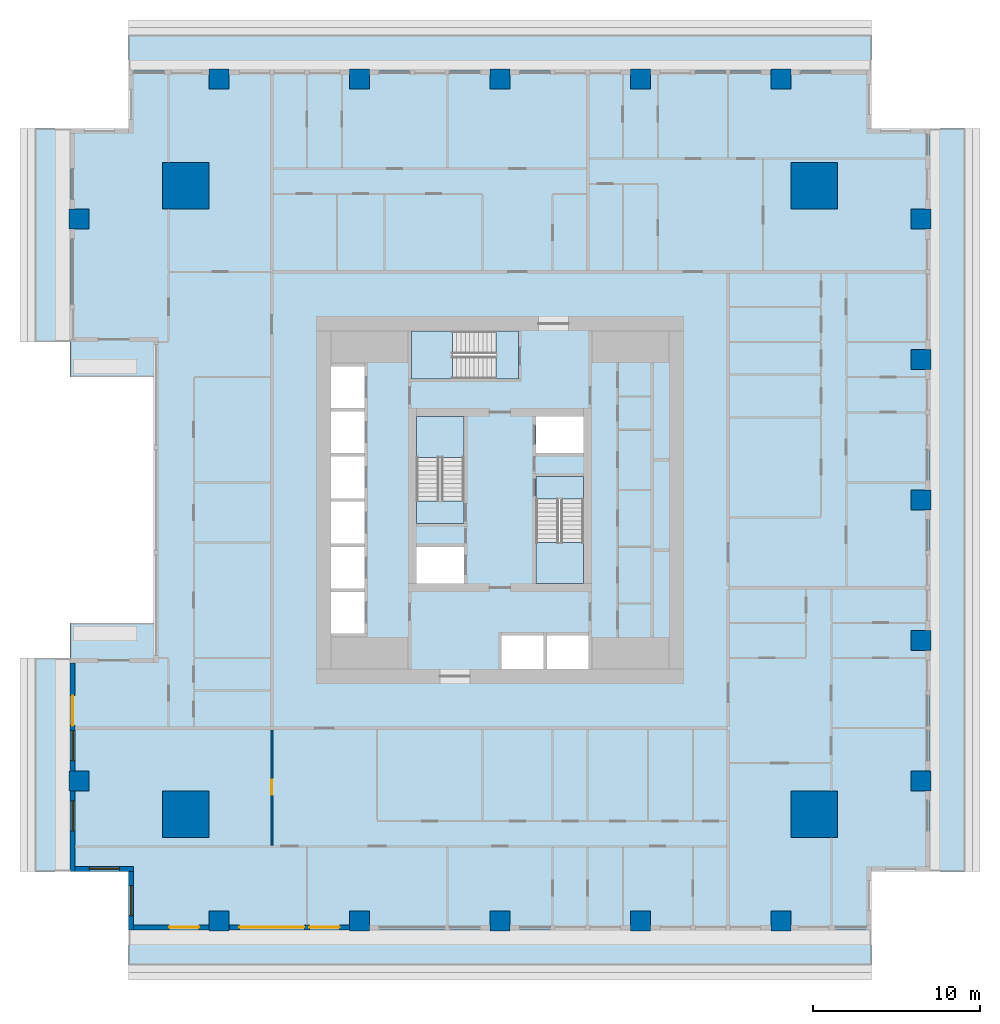
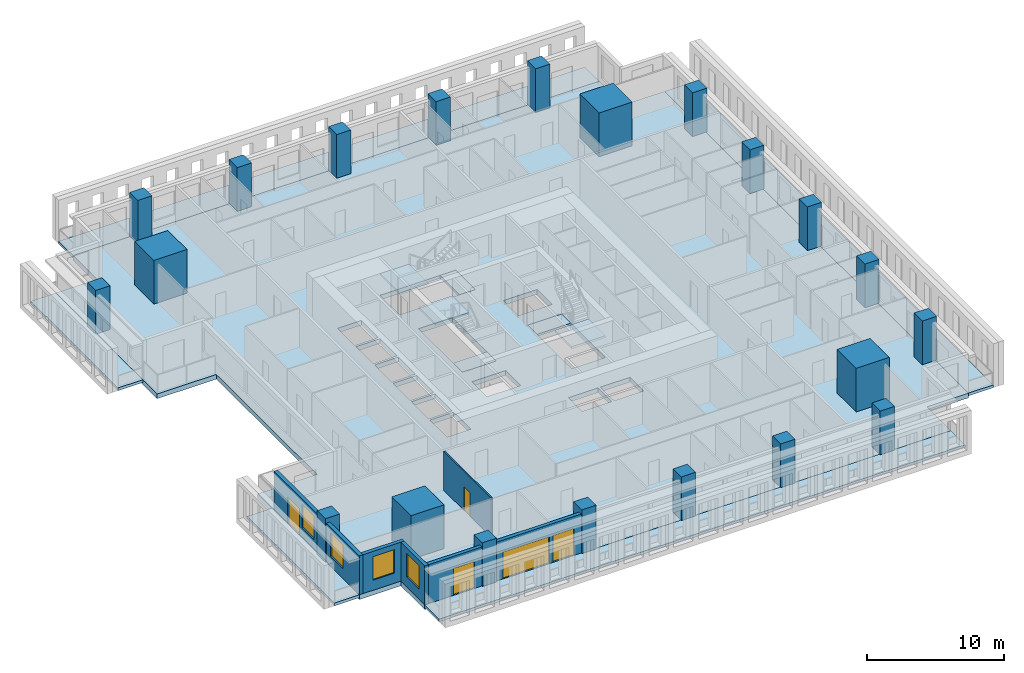
# One storey, part 1 of 14: 21 columns, 12 slabs, 7 walls, 5 doors, 4 windows, 9 openings, 3 elements without a shape of their own.
"""IFC4 building model written with IfcOpenShell, lengths in metres."""

from ifc_helpers import new_model, si_unit, direction, frame, frame_2d, origin, origin_2d, place, context, subcontext, project, spatial, polyline, rectangle, outline, extrude, material, layer, layer_set, material_profile, profile_set, type_object, element, fill, aggregate, save


model = new_model("IFC4")

# Units and contexts
model_context = context("Model", 3, precision=1e-05, world=origin(), true_north=direction((0.0, 1.0)))
body_context = subcontext(model_context, "Body", "Model", "MODEL_VIEW")
ifc_project = project(units=[si_unit("LENGTHUNIT", "METRE"), si_unit("AREAUNIT", "SQUARE_METRE"), si_unit("VOLUMEUNIT", "CUBIC_METRE"), si_unit("PLANEANGLEUNIT", "RADIAN"), si_unit("MASSUNIT", "GRAM", prefix="KILO")], contexts=[model_context])

# Site, building, storey
site_placement = place(None, origin())
site = spatial("IfcSite", under=ifc_project, at=site_placement, CompositionType="ELEMENT")
building_placement = place(site_placement, origin())
building = spatial("IfcBuilding", under=site, at=building_placement, Name="Khepri Terraces", CompositionType="ELEMENT")
storey_placement = place(building_placement, frame((0.0, 0.0, 102.60009765625)))
storey = spatial("IfcBuildingStorey", under=building, at=storey_placement, Name="L24", CompositionType="ELEMENT", Elevation=102.60009765625)

# Columns
ifc_material_1 = material(Name="Concrete C70/85", Category="concrete")
ifc_material_profile_1 = material_profile(ifc_material_1, rectangle(XDim=2.800048828125, YDim=2.800048828125, at=origin_2d()), Name="Concrete C70/85", Category="concrete")
ifc_profile_set_1 = profile_set([ifc_material_profile_1], Name="Concrete C70/85")
column_type_1 = type_object("IfcColumnType", Name="Mega column RC 2800x2800 C70/85", PredefinedType="COLUMN", material=ifc_profile_set_1)
for number, where, z_axis, x_axis, name in (
    (1, (18.800048828125, 18.800048828125, 0.0), (0.0, 0.0, 1.0), (1.0, 0.0, 0.0), "Mega column MEN L24"),
    (2, (18.800048828125, -18.800048828125, 0.0), (0.0, 0.0, 1.0), (1.0, 0.0, 0.0), "Mega column MES L24"),
    (3, (-18.800048828125, 18.800048828125, 0.0), (0.0, 0.0, 1.0), (1.0, 0.0, 0.0), "Mega column MWN L24"),
    (4, (-18.800048828125, -18.800048828125, 0.0), (0.0, 0.0, 1.0), (1.0, 0.0, 0.0), "Mega column MWS L24"),
):
    element("IfcColumn", number, at=place(storey_placement, frame(where, z_axis=z_axis, x_axis=x_axis)), inside=storey, type_object=column_type_1, Name=name, PredefinedType="COLUMN", context=body_context, shape_type="SweptSolid", body=[
        extrude(rectangle(XDim=2.800048828125, YDim=2.800048828125, at=origin_2d()), origin(), (0.0, 0.0, 1.0), 3.89990234375),
    ])
ifc_material_profile_2 = material_profile(ifc_material_1, rectangle(XDim=1.199951171875, YDim=1.199951171875, at=origin_2d()), Name="Concrete C70/85", Category="concrete")
ifc_profile_set_2 = profile_set([ifc_material_profile_2], Name="Concrete C70/85")
column_type_2 = type_object("IfcColumnType", Name="Tower column RC 1200x1200 C70/85", PredefinedType="COLUMN", material=ifc_profile_set_2)
for number, where, z_axis, x_axis, name in (
    (5, (25.199951171875, 0.0, 0.0), (0.0, 0.0, 1.0), (1.0, 0.0, 0.0), "Perimeter column PE+000a L24"),
    (6, (25.199951171875, 8.39990234375, 0.0), (0.0, 0.0, 1.0), (1.0, 0.0, 0.0), "Perimeter column PE+084a L24"),
    (7, (25.199951171875, 16.800048828125, 0.0), (0.0, 0.0, 1.0), (1.0, 0.0, 0.0), "Perimeter column PE+168a L24"),
    (8, (25.199951171875, -8.39990234375, 0.0), (0.0, 0.0, 1.0), (1.0, 0.0, 0.0), "Perimeter column PE-084a L24"),
    (9, (25.199951171875, -16.800048828125, 0.0), (0.0, 0.0, 1.0), (1.0, 0.0, 0.0), "Perimeter column PE-168a L24"),
    (10, (0.0, 25.199951171875, 0.0), (0.0, 0.0, 1.0), (1.0, 0.0, 0.0), "Perimeter column PN+000a L24"),
    (11, (-8.39990234375, 25.199951171875, 0.0), (0.0, 0.0, 1.0), (1.0, 0.0, 0.0), "Perimeter column PN+084a L24"),
    (12, (-16.800048828125, 25.199951171875, 0.0), (0.0, 0.0, 1.0), (1.0, 0.0, 0.0), "Perimeter column PN+168a L24"),
    (13, (8.39990234375, 25.199951171875, 0.0), (0.0, 0.0, 1.0), (1.0, 0.0, 0.0), "Perimeter column PN-084a L24"),
    (14, (16.800048828125, 25.199951171875, 0.0), (0.0, 0.0, 1.0), (1.0, 0.0, 0.0), "Perimeter column PN-168a L24"),
    (15, (0.0, -25.199951171875, 0.0), (0.0, 0.0, 1.0), (1.0, 0.0, 0.0), "Perimeter column PS+000b L24"),
    (16, (8.39990234375, -25.199951171875, 0.0), (0.0, 0.0, 1.0), (1.0, 0.0, 0.0), "Perimeter column PS+084b L24"),
    (17, (16.800048828125, -25.199951171875, 0.0), (0.0, 0.0, 1.0), (1.0, 0.0, 0.0), "Perimeter column PS+168a L24"),
    (18, (-8.39990234375, -25.199951171875, 0.0), (0.0, 0.0, 1.0), (1.0, 0.0, 0.0), "Perimeter column PS-084b L24"),
    (19, (-16.800048828125, -25.199951171875, 0.0), (0.0, 0.0, 1.0), (1.0, 0.0, 0.0), "Perimeter column PS-168a L24"),
    (20, (-25.199951171875, -16.800048828125, 0.0), (0.0, 0.0, 1.0), (1.0, 0.0, 0.0), "Perimeter column PW+168a L24"),
    (21, (-25.199951171875, 16.800048828125, 0.0), (0.0, 0.0, 1.0), (1.0, 0.0, 0.0), "Perimeter column PW-168a L24"),
):
    element("IfcColumn", number, at=place(storey_placement, frame(where, z_axis=z_axis, x_axis=x_axis)), inside=storey, type_object=column_type_2, Name=name, PredefinedType="COLUMN", context=body_context, shape_type="SweptSolid", body=[
        extrude(rectangle(XDim=1.199951171875, YDim=1.199951171875, at=origin_2d()), origin(), (0.0, 0.0, 1.0), 3.89990234375),
    ])

# Slabs
ifc_material_2 = material(Name="Concrete C40/50", Category="concrete")
ifc_layer_1 = layer(ifc_material_2, 0.419921875, Name="Concrete C40/50", Category="concrete")
ifc_layer_set_1 = layer_set([ifc_layer_1], Name="Concrete C40/50")
slab_type_1 = type_object("IfcSlabType", Name="Flat plate 420", PredefinedType="FLOOR", material=ifc_layer_set_1)
slab_1_placement = place(storey_placement, frame((0.0, 0.0, -0.420166015625)))
element("IfcSlab", 22, at=slab_1_placement, inside=storey, type_object=slab_type_1, Name="Floor slab F01 L24", PredefinedType="FLOOR", context=body_context, shape_type="SweptSolid", body=[
    extrude(outline(polyline([(22.219970703125, -25.719970703125), (-22.219970703125, -25.719970703125), (-22.219970703125, -22.219970703125), (-25.719970703125, -22.219970703125), (-25.719970703125, -9.449951171875), (-25.719970703125, -7.35009765625), (-20.719970703125, -7.35009765625), (-20.719970703125, 7.35009765625), (-25.719970703125, 7.35009765625), (-25.719970703125, 9.449951171875), (-25.719970703125, 22.219970703125), (-22.219970703125, 22.219970703125), (-22.219970703125, 25.719970703125), (22.219970703125, 25.719970703125), (22.219970703125, 22.219970703125), (25.719970703125, 22.219970703125), (25.719970703125, -22.219970703125), (22.219970703125, -22.219970703125), (22.219970703125, -25.719970703125)]), holes=[polyline([(5.0, 5.0), (2.14990234375, 5.0), (2.14990234375, 2.800048828125), (5.0, 2.800048828125), (5.0, 5.0)]), polyline([(-2.14990234375, -5.0), (-2.14990234375, -2.800048828125), (-5.0, -2.800048828125), (-5.0, -5.0), (-2.14990234375, -5.0)]), polyline([(-10.10009765625, -8.0), (-8.10009765625, -8.0), (-8.10009765625, -5.5), (-10.10009765625, -5.5), (-10.10009765625, -8.0)]), polyline([(-10.10009765625, -2.800048828125), (-10.10009765625, -5.300048828125), (-8.10009765625, -5.300048828125), (-8.10009765625, -2.800048828125), (-10.10009765625, -2.800048828125)]), polyline([(-8.10009765625, -0.10009765625), (-10.10009765625, -0.10009765625), (-10.10009765625, -2.60009765625), (-8.10009765625, -2.60009765625), (-8.10009765625, -0.10009765625)]), polyline([(-8.10009765625, 0.10009765625), (-8.10009765625, 2.60009765625), (-10.10009765625, 2.60009765625), (-10.10009765625, 0.10009765625), (-8.10009765625, 0.10009765625)]), polyline([(-10.10009765625, 2.800048828125), (-8.10009765625, 2.800048828125), (-8.10009765625, 5.300048828125), (-10.10009765625, 5.300048828125), (-10.10009765625, 2.800048828125)]), polyline([(-10.10009765625, 8.0), (-10.10009765625, 5.5), (-8.10009765625, 5.5), (-8.10009765625, 8.0), (-10.10009765625, 8.0)]), polyline([(2.60009765625, -8.10009765625), (0.10009765625, -8.10009765625), (0.10009765625, -10.10009765625), (2.60009765625, -10.10009765625), (2.60009765625, -8.10009765625)]), polyline([(5.300048828125, -10.10009765625), (5.300048828125, -8.10009765625), (2.800048828125, -8.10009765625), (2.800048828125, -10.10009765625), (5.300048828125, -10.10009765625)]), polyline([(-5.0, -1.39990234375), (-2.14990234375, -1.39990234375), (-2.14990234375, 5.0), (-5.0, 5.0), (-5.0, -1.39990234375)]), polyline([(5.0, -5.0), (5.0, 1.39990234375), (2.14990234375, 1.39990234375), (2.14990234375, -5.0), (5.0, -5.0)]), polyline([(-5.300048828125, 10.10009765625), (-5.300048828125, 7.25), (1.10009765625, 7.25), (1.10009765625, 10.10009765625), (-5.300048828125, 10.10009765625)])]), origin(), (0.0, 0.0, 1.0), 0.420166015625),
])
ifc_material_3 = material(Name="Precast concrete C50/60 warm stone", Category="masonry")
ifc_layer_2 = layer(ifc_material_3, 0.25, Name="Precast concrete C50/60 warm stone", Category="masonry")
ifc_layer_set_2 = layer_set([ifc_layer_2], Name="Precast concrete C50/60 warm stone")
slab_type_2 = type_object("IfcSlabType", Name="SLB-BALCONY-250", PredefinedType="FLOOR", material=ifc_layer_set_2)
slab_2_placement = place(storey_placement, frame((0.0, 0.0, -0.25)))
element("IfcSlab", 23, at=slab_2_placement, inside=storey, type_object=slab_type_2, Name="Balcony slab L24 S", PredefinedType="FLOOR", context=body_context, shape_type="SweptSolid", body=[
    extrude(outline(polyline([(-17.39990234375, -25.719970703125), (-22.219970703125, -25.719970703125), (-22.219970703125, -27.820068359375), (22.219970703125, -27.820068359375), (22.219970703125, -25.719970703125), (17.39990234375, -25.719970703125), (17.39990234375, -25.800048828125), (16.199951171875, -25.800048828125), (16.199951171875, -25.719970703125), (9.0, -25.719970703125), (9.0, -25.800048828125), (7.800048828125, -25.800048828125), (7.800048828125, -25.719970703125), (0.60009765625, -25.719970703125), (0.60009765625, -25.800048828125), (-0.60009765625, -25.800048828125), (-0.60009765625, -25.719970703125), (-7.800048828125, -25.719970703125), (-7.800048828125, -25.800048828125), (-9.0, -25.800048828125), (-9.0, -25.719970703125), (-16.199951171875, -25.719970703125), (-16.199951171875, -25.800048828125), (-17.39990234375, -25.800048828125), (-17.39990234375, -25.719970703125)])), origin(), (0.0, 0.0, 1.0), 0.25),
])
slab_3_placement = place(storey_placement, frame((0.0, 0.0, -0.25)))
element("IfcSlab", 24, at=slab_3_placement, inside=storey, type_object=slab_type_2, Name="Balcony slab L24 E", PredefinedType="FLOOR", context=body_context, shape_type="SweptSolid", body=[
    extrude(outline(polyline([(25.719970703125, -17.39990234375), (25.719970703125, -22.219970703125), (27.820068359375, -22.219970703125), (27.820068359375, 22.219970703125), (25.719970703125, 22.219970703125), (25.719970703125, 17.39990234375), (25.800048828125, 17.39990234375), (25.800048828125, 16.199951171875), (25.719970703125, 16.199951171875), (25.719970703125, 9.0), (25.800048828125, 9.0), (25.800048828125, 7.800048828125), (25.719970703125, 7.800048828125), (25.719970703125, 0.60009765625), (25.800048828125, 0.60009765625), (25.800048828125, -0.60009765625), (25.719970703125, -0.60009765625), (25.719970703125, -7.800048828125), (25.800048828125, -7.800048828125), (25.800048828125, -9.0), (25.719970703125, -9.0), (25.719970703125, -16.199951171875), (25.800048828125, -16.199951171875), (25.800048828125, -17.39990234375), (25.719970703125, -17.39990234375)])), origin(), (0.0, 0.0, 1.0), 0.25),
])
slab_4_placement = place(storey_placement, frame((0.0, 0.0, -0.25)))
element("IfcSlab", 25, at=slab_4_placement, inside=storey, type_object=slab_type_2, Name="Balcony slab L24 N", PredefinedType="FLOOR", context=body_context, shape_type="SweptSolid", body=[
    extrude(outline(polyline([(17.39990234375, 25.719970703125), (22.219970703125, 25.719970703125), (22.219970703125, 27.820068359375), (-22.219970703125, 27.820068359375), (-22.219970703125, 25.719970703125), (-17.39990234375, 25.719970703125), (-17.39990234375, 25.800048828125), (-16.199951171875, 25.800048828125), (-16.199951171875, 25.719970703125), (-9.0, 25.719970703125), (-9.0, 25.800048828125), (-7.800048828125, 25.800048828125), (-7.800048828125, 25.719970703125), (-0.60009765625, 25.719970703125), (-0.60009765625, 25.800048828125), (0.60009765625, 25.800048828125), (0.60009765625, 25.719970703125), (7.800048828125, 25.719970703125), (7.800048828125, 25.800048828125), (9.0, 25.800048828125), (9.0, 25.719970703125), (16.199951171875, 25.719970703125), (16.199951171875, 25.800048828125), (17.39990234375, 25.800048828125), (17.39990234375, 25.719970703125)])), origin(), (0.0, 0.0, 1.0), 0.25),
])
slab_5_placement = place(storey_placement, frame((0.0, 0.0, -0.25)))
element("IfcSlab", 26, at=slab_5_placement, inside=storey, type_object=slab_type_2, Name="Balcony slab L24 W", PredefinedType="FLOOR", context=body_context, shape_type="SweptSolid", body=[
    extrude(outline(polyline([(-25.719970703125, 17.39990234375), (-25.719970703125, 22.219970703125), (-27.820068359375, 22.219970703125), (-27.820068359375, 9.449951171875), (-25.719970703125, 9.449951171875), (-25.719970703125, 16.199951171875), (-25.800048828125, 16.199951171875), (-25.800048828125, 17.39990234375), (-25.719970703125, 17.39990234375)])), origin(), (0.0, 0.0, 1.0), 0.25),
])
slab_6_placement = place(storey_placement, frame((0.0, 0.0, -0.25)))
element("IfcSlab", 27, at=slab_6_placement, inside=storey, type_object=slab_type_2, Name="Balcony slab L24 W", PredefinedType="FLOOR", context=body_context, shape_type="SweptSolid", body=[
    extrude(outline(polyline([(-25.719970703125, -16.199951171875), (-25.719970703125, -9.449951171875), (-27.820068359375, -9.449951171875), (-27.820068359375, -22.219970703125), (-25.719970703125, -22.219970703125), (-25.719970703125, -17.39990234375), (-25.800048828125, -17.39990234375), (-25.800048828125, -16.199951171875), (-25.719970703125, -16.199951171875)])), origin(), (0.0, 0.0, 1.0), 0.25),
])

# Stair, slabs
stair_type = type_object("IfcStairType", Name="STAIR-RC-22R", PredefinedType="HALF_TURN_STAIR", material=ifc_material_2)
stair_1_placement = place(storey_placement, origin())
stair_1 = element("IfcStair", 28, at=stair_1_placement, inside=storey, type_object=stair_type, Name="L24 Exit Stair ST-1", PredefinedType="HALF_TURN_STAIR")
ifc_layer_3 = layer(ifc_material_2, 0.199951171875, Name="Concrete C40/50", Category="concrete")
ifc_layer_set_3 = layer_set([ifc_layer_3], Name="Concrete C40/50")
slab_type_3 = type_object("IfcSlabType", Name="SLB-CORE-LANDING", PredefinedType="LANDING", material=ifc_layer_set_3)
slab_7_placement = place(storey_placement, frame((0.0, 0.0, -0.2001953125)))
slab_7 = element("IfcSlab", 29, at=slab_7_placement, type_object=slab_type_3, Name="ST-1 landing 1", PredefinedType="LANDING", context=body_context, shape_type="SweptSolid", body=[
    extrude(outline(polyline([(-2.14990234375, -1.39990234375), (-2.14990234375, -0.050048828125), (-5.0, -0.050048828125), (-5.0, -1.39990234375), (-2.14990234375, -1.39990234375)])), origin(), (0.0, 0.0, 1.0), 0.2001953125),
])
slab_8_placement = place(storey_placement, frame((0.0, 0.0, 1.75)))
slab_8 = element("IfcSlab", 30, at=slab_8_placement, type_object=slab_type_3, Name="ST-1 landing 2", PredefinedType="LANDING", context=body_context, shape_type="SweptSolid", body=[
    extrude(outline(polyline([(-2.14990234375, 2.550048828125), (-2.14990234375, 5.0), (-5.0, 5.0), (-5.0, 2.550048828125), (-2.14990234375, 2.550048828125)])), origin(), (0.0, 0.0, 1.0), 0.199951171875),
])
aggregate(stair_1, [slab_7, slab_8])

stair_2_placement = place(storey_placement, origin())
stair_2 = element("IfcStair", 31, at=stair_2_placement, inside=storey, type_object=stair_type, Name="L24 Exit Stair ST-2", PredefinedType="HALF_TURN_STAIR")
slab_9_placement = place(storey_placement, frame((0.0, 0.0, -0.2001953125)))
slab_9 = element("IfcSlab", 32, at=slab_9_placement, type_object=slab_type_3, Name="ST-2 landing 1", PredefinedType="LANDING", context=body_context, shape_type="SweptSolid", body=[
    extrude(outline(polyline([(2.14990234375, 1.39990234375), (2.14990234375, 0.050048828125), (5.0, 0.050048828125), (5.0, 1.39990234375), (2.14990234375, 1.39990234375)])), origin(), (0.0, 0.0, 1.0), 0.2001953125),
])
slab_10_placement = place(storey_placement, frame((0.0, 0.0, 1.75)))
slab_10 = element("IfcSlab", 33, at=slab_10_placement, type_object=slab_type_3, Name="ST-2 landing 2", PredefinedType="LANDING", context=body_context, shape_type="SweptSolid", body=[
    extrude(outline(polyline([(2.14990234375, -2.550048828125), (2.14990234375, -5.0), (5.0, -5.0), (5.0, -2.550048828125), (2.14990234375, -2.550048828125)])), origin(), (0.0, 0.0, 1.0), 0.199951171875),
])
aggregate(stair_2, [slab_9, slab_10])

stair_3_placement = place(storey_placement, origin())
stair_3 = element("IfcStair", 34, at=stair_3_placement, inside=storey, type_object=stair_type, Name="L24 Exit Stair ST-3", PredefinedType="HALF_TURN_STAIR")
slab_11_placement = place(storey_placement, frame((0.0, 0.0, -0.2001953125)))
slab_11 = element("IfcSlab", 35, at=slab_11_placement, type_object=slab_type_3, Name="ST-3 landing 1", PredefinedType="LANDING", context=body_context, shape_type="SweptSolid", body=[
    extrude(outline(polyline([(1.10009765625, 10.10009765625), (-0.25, 10.10009765625), (-0.25, 7.25), (1.10009765625, 7.25), (1.10009765625, 10.10009765625)])), origin(), (0.0, 0.0, 1.0), 0.2001953125),
])
slab_12_placement = place(storey_placement, frame((0.0, 0.0, 1.75)))
slab_12 = element("IfcSlab", 36, at=slab_12_placement, type_object=slab_type_3, Name="ST-3 landing 2", PredefinedType="LANDING", context=body_context, shape_type="SweptSolid", body=[
    extrude(outline(polyline([(-2.85009765625, 10.10009765625), (-5.300048828125, 10.10009765625), (-5.300048828125, 7.25), (-2.85009765625, 7.25), (-2.85009765625, 10.10009765625)])), origin(), (0.0, 0.0, 1.0), 0.199951171875),
])
aggregate(stair_3, [slab_11, slab_12])

# Wall, openings, door, window
ifc_layer_4 = layer(ifc_material_3, 0.300048828125, Name="Precast concrete C50/60 warm stone", Category="masonry")
ifc_layer_set_4 = layer_set([ifc_layer_4], Name="Precast concrete C50/60 warm stone")
wall_type_1 = type_object("IfcWallType", Name="WL-EXT-PRECAST-300", PredefinedType="STANDARD", material=ifc_layer_set_4)
wall_1_placement = place(storey_placement, frame((-25.570068359375, -9.75, 0.0), z_axis=(0.0, 0.0, 1.0), x_axis=(0.0, -1.0, 0.0)))
wall_1 = element("IfcWall", 37, at=wall_1_placement, inside=storey, type_object=wall_type_1, Name="External wall L24 W", PredefinedType="STANDARD", context=body_context, shape_type="SweptSolid", body=[
    extrude(rectangle(XDim=6.449951171875, YDim=0.300048828125, at=frame_2d((3.22509765625, 0.0))), origin(), (0.0, 0.0, 1.0), 3.47998046875),
])
opening_1_placement = place(wall_1_placement, frame((1.949951171875, 0.0, 0.0)))
opening_1 = element("IfcOpeningElement", 38, at=opening_1_placement, cuts=wall_1, Name="Opening ED-L24-18", PredefinedType="OPENING", context=body_context, shape_type="SweptSolid", body=[
    extrude(rectangle(XDim=1.800048828125, YDim=2.39990234375, at=frame_2d((0.89990234375, 1.199951171875))), frame((0.0, 0.16015625, 0.0), z_axis=(0.0, -1.0, 0.0), x_axis=(1.0, 0.0, 0.0)), (0.0, 0.0, 1.0), 0.320068359375),
])
opening_2_placement = place(wall_1_placement, frame((4.050048828125, 0.0, 0.89990234375)))
opening_2 = element("IfcOpeningElement", 39, at=opening_2_placement, cuts=wall_1, Name="Opening W1", PredefinedType="OPENING", context=body_context, shape_type="SweptSolid", body=[
    extrude(rectangle(XDim=1.800048828125, YDim=2.10009765625, at=frame_2d((0.89990234375, 1.050048828125))), frame((0.0, 0.16015625, 0.0), z_axis=(0.0, -1.0, 0.0), x_axis=(1.0, 0.0, 0.0)), (0.0, 0.0, 1.0), 0.320068359375),
])
ifc_material_4 = material(Name="Anodised aluminium bronze glazed door", Category="aluminium")
door_type_1 = type_object("IfcDoorType", Name="DR-BAL-SLIDE-1800x2400", OperationType="NOTDEFINED", PredefinedType="DOOR", material=ifc_material_4)
door_1_placement = place(opening_1_placement, origin())
door_1 = element("IfcDoor", 40, at=door_1_placement, inside=storey, type_object=door_type_1, Name="Balcony door L24 W", OperationType="SLIDING_TO_RIGHT", OverallHeight=2.39990234375, OverallWidth=1.800048828125, PredefinedType="DOOR", context=body_context, shape_type="SweptSolid", body=[
    extrude(rectangle(XDim=1.800048828125, YDim=2.39990234375, at=frame_2d((0.89990234375, 1.199951171875))), frame((0.0, 0.02490234375, 0.0), z_axis=(0.0, -1.0, 0.0), x_axis=(1.0, 0.0, 0.0)), (0.0, 0.0, 1.0), 0.050048828125),
])
fill(opening_1, door_1)
ifc_material_5 = material(Name="Clear glass", Category="glass")
window_type = type_object("IfcWindowType", Name="WIN-RES-1800x2100", PartitioningType="SINGLE_PANEL", PredefinedType="WINDOW", material=ifc_material_5)
window_1_placement = place(opening_2_placement, origin())
window_1 = element("IfcWindow", 41, at=window_1_placement, inside=storey, type_object=window_type, Name="Window L24 W", OverallHeight=2.10009765625, OverallWidth=1.800048828125, PartitioningType="SINGLE_PANEL", PredefinedType="WINDOW", context=body_context, shape_type="SweptSolid", body=[
    extrude(rectangle(XDim=1.800048828125, YDim=2.10009765625, at=frame_2d((0.89990234375, 1.050048828125))), frame((0.0, 0.030029296875, 0.0), z_axis=(0.0, -1.0, 0.0), x_axis=(1.0, 0.0, 0.0)), (0.0, 0.0, 1.0), 0.06005859375),
])
fill(opening_2, window_1)

# Wall, opening, window
wall_2_placement = place(storey_placement, frame((-25.570068359375, -17.39990234375, 0.0), z_axis=(0.0, 0.0, 1.0), x_axis=(0.0, -1.0, 0.0)))
wall_2 = element("IfcWall", 42, at=wall_2_placement, inside=storey, type_object=wall_type_1, Name="External wall L24 W", PredefinedType="STANDARD", context=body_context, shape_type="SweptSolid", body=[
    extrude(rectangle(XDim=4.820068359375, YDim=0.300048828125, at=frame_2d((2.41015625, 0.0))), origin(), (0.0, 0.0, 1.0), 3.47998046875),
])
opening_3_placement = place(wall_2_placement, frame((0.60009765625, 0.0, 0.89990234375)))
opening_3 = element("IfcOpeningElement", 43, at=opening_3_placement, cuts=wall_2, Name="Opening W1", PredefinedType="OPENING", context=body_context, shape_type="SweptSolid", body=[
    extrude(rectangle(XDim=1.800048828125, YDim=2.10009765625, at=frame_2d((0.89990234375, 1.050048828125))), frame((0.0, 0.16015625, 0.0), z_axis=(0.0, -1.0, 0.0), x_axis=(1.0, 0.0, 0.0)), (0.0, 0.0, 1.0), 0.320068359375),
])
window_2_placement = place(opening_3_placement, origin())
window_2 = element("IfcWindow", 44, at=window_2_placement, inside=storey, type_object=window_type, Name="Window L24 W", OverallHeight=2.10009765625, OverallWidth=1.800048828125, PartitioningType="SINGLE_PANEL", PredefinedType="WINDOW", context=body_context, shape_type="SweptSolid", body=[
    extrude(rectangle(XDim=1.800048828125, YDim=2.10009765625, at=frame_2d((0.89990234375, 1.050048828125))), frame((0.0, 0.030029296875, 0.0), z_axis=(0.0, -1.0, 0.0), x_axis=(1.0, 0.0, 0.0)), (0.0, 0.0, 1.0), 0.06005859375),
])
fill(opening_3, window_2)

wall_3_placement = place(storey_placement, frame((-25.419921875, -22.070068359375, 0.0), z_axis=(0.0, 0.0, 1.0), x_axis=(1.0, 0.0, 0.0)))
wall_3 = element("IfcWall", 45, at=wall_3_placement, inside=storey, type_object=wall_type_1, Name="External wall L24 S", PredefinedType="STANDARD", context=body_context, shape_type="SweptSolid", body=[
    extrude(rectangle(XDim=3.5, YDim=0.300048828125, at=frame_2d((1.75, 0.0))), origin(), (0.0, 0.0, 1.0), 3.47998046875),
])
opening_4_placement = place(wall_3_placement, frame((0.85009765625, 0.0, 0.89990234375)))
opening_4 = element("IfcOpeningElement", 46, at=opening_4_placement, cuts=wall_3, Name="Opening W1", PredefinedType="OPENING", context=body_context, shape_type="SweptSolid", body=[
    extrude(rectangle(XDim=1.800048828125, YDim=2.10009765625, at=frame_2d((0.89990234375, 1.050048828125))), frame((0.0, 0.16015625, 0.0), z_axis=(0.0, -1.0, 0.0), x_axis=(1.0, 0.0, 0.0)), (0.0, 0.0, 1.0), 0.320068359375),
])
window_3_placement = place(opening_4_placement, origin())
window_3 = element("IfcWindow", 47, at=window_3_placement, inside=storey, type_object=window_type, Name="Window L24 S", OverallHeight=2.10009765625, OverallWidth=1.800048828125, PartitioningType="SINGLE_PANEL", PredefinedType="WINDOW", context=body_context, shape_type="SweptSolid", body=[
    extrude(rectangle(XDim=1.800048828125, YDim=2.10009765625, at=frame_2d((0.89990234375, 1.050048828125))), frame((0.0, 0.030029296875, 0.0), z_axis=(0.0, -1.0, 0.0), x_axis=(1.0, 0.0, 0.0)), (0.0, 0.0, 1.0), 0.06005859375),
])
fill(opening_4, window_3)

wall_4_placement = place(storey_placement, frame((-22.070068359375, -22.219970703125, 0.0), z_axis=(0.0, 0.0, 1.0), x_axis=(0.0, -1.0, 0.0)))
wall_4 = element("IfcWall", 48, at=wall_4_placement, inside=storey, type_object=wall_type_1, Name="External wall L24 W", PredefinedType="STANDARD", context=body_context, shape_type="SweptSolid", body=[
    extrude(rectangle(XDim=3.5, YDim=0.300048828125, at=frame_2d((1.75, 0.0))), origin(), (0.0, 0.0, 1.0), 3.47998046875),
])
opening_5_placement = place(wall_4_placement, frame((0.85009765625, 0.0, 0.89990234375)))
opening_5 = element("IfcOpeningElement", 49, at=opening_5_placement, cuts=wall_4, Name="Opening W1", PredefinedType="OPENING", context=body_context, shape_type="SweptSolid", body=[
    extrude(rectangle(XDim=1.800048828125, YDim=2.10009765625, at=frame_2d((0.89990234375, 1.050048828125))), frame((0.0, 0.16015625, 0.0), z_axis=(0.0, -1.0, 0.0), x_axis=(1.0, 0.0, 0.0)), (0.0, 0.0, 1.0), 0.320068359375),
])
window_4_placement = place(opening_5_placement, origin())
window_4 = element("IfcWindow", 50, at=window_4_placement, inside=storey, type_object=window_type, Name="Window L24 W", OverallHeight=2.10009765625, OverallWidth=1.800048828125, PartitioningType="SINGLE_PANEL", PredefinedType="WINDOW", context=body_context, shape_type="SweptSolid", body=[
    extrude(rectangle(XDim=1.800048828125, YDim=2.10009765625, at=frame_2d((0.89990234375, 1.050048828125))), frame((0.0, 0.030029296875, 0.0), z_axis=(0.0, -1.0, 0.0), x_axis=(1.0, 0.0, 0.0)), (0.0, 0.0, 1.0), 0.06005859375),
])
fill(opening_5, window_4)

# Wall, opening, door
wall_5_placement = place(storey_placement, frame((-21.919921875, -25.570068359375, 0.0), z_axis=(0.0, 0.0, 1.0), x_axis=(1.0, 0.0, 0.0)))
wall_5 = element("IfcWall", 51, at=wall_5_placement, inside=storey, type_object=wall_type_1, Name="External wall L24 S", PredefinedType="STANDARD", context=body_context, shape_type="SweptSolid", body=[
    extrude(rectangle(XDim=4.52001953125, YDim=0.300048828125, at=frame_2d((2.260009765625, 0.0))), origin(), (0.0, 0.0, 1.0), 3.47998046875),
])
opening_6_placement = place(wall_5_placement, frame((2.1201171875, 0.0, 0.0)))
opening_6 = element("IfcOpeningElement", 52, at=opening_6_placement, cuts=wall_5, Name="Opening ED-L24-19", PredefinedType="OPENING", context=body_context, shape_type="SweptSolid", body=[
    extrude(rectangle(XDim=1.800048828125, YDim=2.39990234375, at=frame_2d((0.89990234375, 1.199951171875))), frame((0.0, 0.16015625, 0.0), z_axis=(0.0, -1.0, 0.0), x_axis=(1.0, 0.0, 0.0)), (0.0, 0.0, 1.0), 0.320068359375),
])
door_2_placement = place(opening_6_placement, origin())
door_2 = element("IfcDoor", 53, at=door_2_placement, inside=storey, type_object=door_type_1, Name="Balcony door L24 S", OperationType="SLIDING_TO_RIGHT", OverallHeight=2.39990234375, OverallWidth=1.800048828125, PredefinedType="DOOR", context=body_context, shape_type="SweptSolid", body=[
    extrude(rectangle(XDim=1.800048828125, YDim=2.39990234375, at=frame_2d((0.89990234375, 1.199951171875))), frame((0.0, 0.02490234375, 0.0), z_axis=(0.0, -1.0, 0.0), x_axis=(1.0, 0.0, 0.0)), (0.0, 0.0, 1.0), 0.050048828125),
])
fill(opening_6, door_2)

# Wall, openings, doors
wall_6_placement = place(storey_placement, frame((-16.199951171875, -25.570068359375, 0.0), z_axis=(0.0, 0.0, 1.0), x_axis=(1.0, 0.0, 0.0)))
wall_6 = element("IfcWall", 54, at=wall_6_placement, inside=storey, type_object=wall_type_1, Name="External wall L24 S", PredefinedType="STANDARD", context=body_context, shape_type="SweptSolid", body=[
    extrude(rectangle(XDim=7.199951171875, YDim=0.300048828125, at=frame_2d((3.60009765625, 0.0))), origin(), (0.0, 0.0, 1.0), 3.47998046875),
])
opening_7_placement = place(wall_6_placement, frame((0.60009765625, 0.0, 0.0)))
opening_7 = element("IfcOpeningElement", 55, at=opening_7_placement, cuts=wall_6, Name="Opening ED-L24-20", PredefinedType="OPENING", context=body_context, shape_type="SweptSolid", body=[
    extrude(rectangle(XDim=3.89990234375, YDim=2.39990234375, at=frame_2d((1.949951171875, 1.199951171875))), frame((0.0, 0.16015625, 0.0), z_axis=(0.0, -1.0, 0.0), x_axis=(1.0, 0.0, 0.0)), (0.0, 0.0, 1.0), 0.320068359375),
])
opening_8_placement = place(wall_6_placement, frame((4.800048828125, 0.0, 0.0)))
opening_8 = element("IfcOpeningElement", 56, at=opening_8_placement, cuts=wall_6, Name="Opening ED-L24-21", PredefinedType="OPENING", context=body_context, shape_type="SweptSolid", body=[
    extrude(rectangle(XDim=1.800048828125, YDim=2.39990234375, at=frame_2d((0.89990234375, 1.199951171875))), frame((0.0, 0.16015625, 0.0), z_axis=(0.0, -1.0, 0.0), x_axis=(1.0, 0.0, 0.0)), (0.0, 0.0, 1.0), 0.320068359375),
])
door_3_placement = place(opening_8_placement, origin())
door_3 = element("IfcDoor", 57, at=door_3_placement, inside=storey, type_object=door_type_1, Name="Balcony door L24 S", OperationType="SLIDING_TO_RIGHT", OverallHeight=2.39990234375, OverallWidth=1.800048828125, PredefinedType="DOOR", context=body_context, shape_type="SweptSolid", body=[
    extrude(rectangle(XDim=1.800048828125, YDim=2.39990234375, at=frame_2d((0.89990234375, 1.199951171875))), frame((0.0, 0.02490234375, 0.0), z_axis=(0.0, -1.0, 0.0), x_axis=(1.0, 0.0, 0.0)), (0.0, 0.0, 1.0), 0.050048828125),
])
fill(opening_8, door_3)
door_type_2 = type_object("IfcDoorType", Name="DR-BAL-SLIDE-3900x2400", OperationType="NOTDEFINED", PredefinedType="DOOR", material=ifc_material_4)
door_4_placement = place(opening_7_placement, origin())
door_4 = element("IfcDoor", 58, at=door_4_placement, inside=storey, type_object=door_type_2, Name="Balcony door L24 S", OperationType="SLIDING_TO_LEFT", OverallHeight=2.39990234375, OverallWidth=3.89990234375, PredefinedType="DOOR", context=body_context, shape_type="SweptSolid", body=[
    extrude(rectangle(XDim=3.89990234375, YDim=2.39990234375, at=frame_2d((1.949951171875, 1.199951171875))), frame((0.0, 0.02490234375, 0.0), z_axis=(0.0, -1.0, 0.0), x_axis=(1.0, 0.0, 0.0)), (0.0, 0.0, 1.0), 0.050048828125),
])
fill(opening_7, door_4)

# Wall, opening, door
ifc_material_6 = material(Name="Gypsum plasterboard partition")
ifc_layer_5 = layer(ifc_material_6, 0.1201171875, Name="Gypsum plasterboard partition")
ifc_layer_set_5 = layer_set([ifc_layer_5], Name="Gypsum plasterboard partition")
wall_type_2 = type_object("IfcWallType", Name="WL-PART-120", PredefinedType="PARTITIONING", material=ifc_layer_set_5)
wall_7_placement = place(storey_placement, frame((-13.64990234375, -20.659912109375, 0.0), z_axis=(0.0, 0.0, 1.0), x_axis=(0.0, 1.0, 0.0)))
wall_7 = element("IfcWall", 59, at=wall_7_placement, inside=storey, type_object=wall_type_2, Name="Partition P-010 L24", PredefinedType="PARTITIONING", context=body_context, shape_type="SweptSolid", body=[
    extrude(rectangle(XDim=6.909912109375, YDim=0.1201171875, at=frame_2d((3.455078125, 0.0))), origin(), (0.0, 0.0, 1.0), 3.47998046875),
])
opening_9_placement = place(wall_7_placement, frame((3.02490234375, 0.0, 0.0)))
opening_9 = element("IfcOpeningElement", 60, at=opening_9_placement, cuts=wall_7, Name="Opening D3", PredefinedType="OPENING", context=body_context, shape_type="SweptSolid", body=[
    extrude(rectangle(XDim=0.89990234375, YDim=2.10009765625, at=frame_2d((0.449951171875, 1.050048828125))), frame((0.0, 0.070068359375, 0.0), z_axis=(0.0, -1.0, 0.0), x_axis=(1.0, 0.0, 0.0)), (0.0, 0.0, 1.0), 0.14013671875),
])
ifc_material_7 = material(Name="Timber door leaf", Category="wood")
door_type_3 = type_object("IfcDoorType", Name="DR-INT-900", OperationType="NOTDEFINED", PredefinedType="DOOR", material=ifc_material_7)
door_5_placement = place(opening_9_placement, origin())
door_5 = element("IfcDoor", 61, at=door_5_placement, inside=storey, type_object=door_type_3, Name="Door Home Cinema", OperationType="SINGLE_SWING_RIGHT", OverallHeight=2.10009765625, OverallWidth=0.89990234375, PredefinedType="DOOR", context=body_context, shape_type="SweptSolid", body=[
    extrude(rectangle(XDim=0.89990234375, YDim=2.10009765625, at=frame_2d((0.449951171875, 1.050048828125))), frame((0.0, 0.02490234375, 0.0), z_axis=(0.0, -1.0, 0.0), x_axis=(1.0, 0.0, 0.0)), (0.0, 0.0, 1.0), 0.050048828125),
])
fill(opening_9, door_5)

save(model, "model.ifc")
